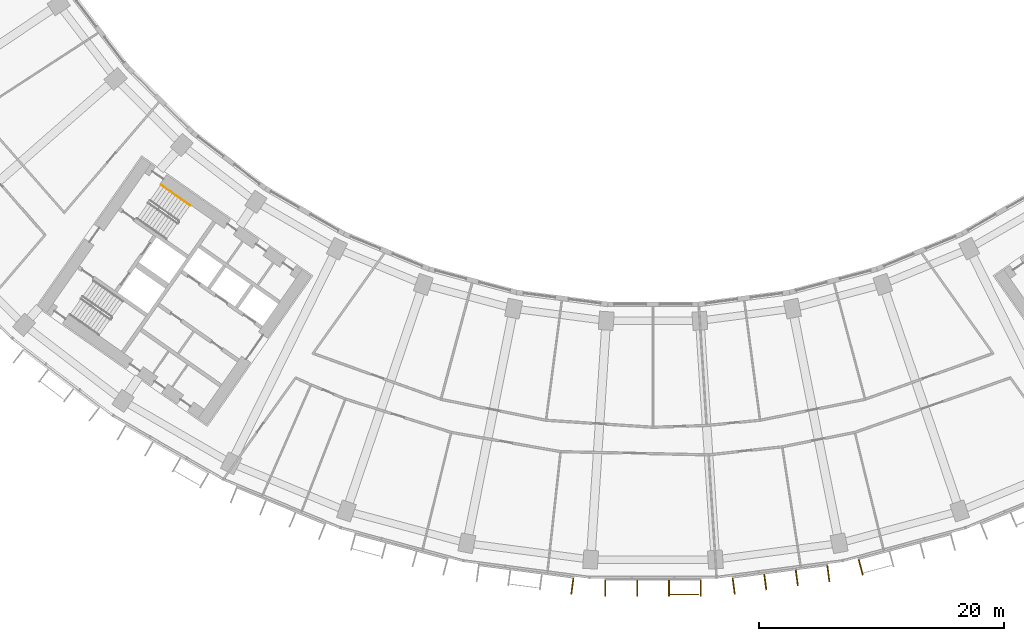
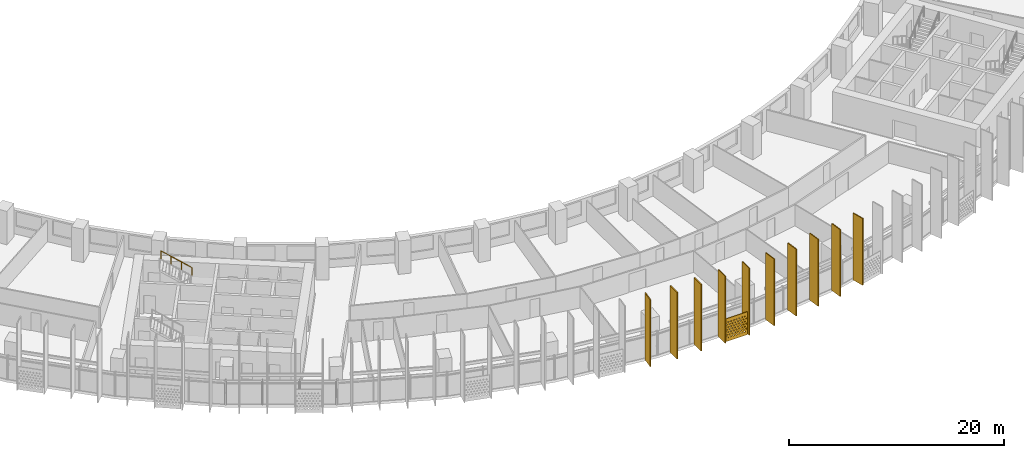
# One storey, part 27 of 30: 11 shading devices, 1 railing.
"""IFC4 building model written with IfcOpenShell, lengths in metres."""

from ifc_helpers import new_model, si_unit, direction, frame, origin, origin_2d, place, context, subcontext, project, spatial, polyline, rectangle, circle, outline, extrude, material, material_profile, profile_set, type_object, element, save


model = new_model("IFC4")

# Units and contexts
model_context = context("Model", 3, precision=1e-05, world=origin(), true_north=direction((0.0, 1.0)))
body_context = subcontext(model_context, "Body", "Model", "MODEL_VIEW")
ifc_project = project(units=[si_unit("LENGTHUNIT", "METRE"), si_unit("AREAUNIT", "SQUARE_METRE"), si_unit("VOLUMEUNIT", "CUBIC_METRE"), si_unit("PLANEANGLEUNIT", "RADIAN"), si_unit("MASSUNIT", "GRAM", prefix="KILO")], contexts=[model_context])

# Site, building, storey
site_placement = place(None, origin())
site = spatial("IfcSite", under=ifc_project, at=site_placement, CompositionType="ELEMENT")
building_placement = place(site_placement, origin())
building = spatial("IfcBuilding", under=site, at=building_placement, Name="Qamariyya Broadcast Tower", CompositionType="ELEMENT")
storey_placement = place(building_placement, frame((0.0, 0.0, 117.699951171875)))
storey = spatial("IfcBuildingStorey", under=building, at=storey_placement, Name="L26", CompositionType="ELEMENT", Elevation=117.699951171875)

# Shading device
ifc_material_1 = material(Name="Perforated glazed terracotta", Category="masonry")
ifc_material_profile_1 = material_profile(ifc_material_1, outline(polyline([(-1.199951171875, -1.300048828125), (1.199951171875, -1.300048828125), (1.199951171875, 1.300048828125), (-1.199951171875, 1.300048828125), (-1.199951171875, -1.300048828125)]), holes=[polyline([(-0.81494140625, -0.86669921875), (-0.89990234375, -0.78173828125), (-0.985107421875, -0.86669921875), (-0.89990234375, -0.95166015625), (-0.81494140625, -0.86669921875)]), polyline([(-0.514892578125, -0.86669921875), (-0.60009765625, -0.78173828125), (-0.68505859375, -0.86669921875), (-0.60009765625, -0.95166015625), (-0.514892578125, -0.86669921875)]), polyline([(-0.215087890625, -0.86669921875), (-0.300048828125, -0.78173828125), (-0.385009765625, -0.86669921875), (-0.300048828125, -0.95166015625), (-0.215087890625, -0.86669921875)]), polyline([(0.0849609375, -0.86669921875), (0.0, -0.78173828125), (-0.0849609375, -0.86669921875), (0.0, -0.95166015625), (0.0849609375, -0.86669921875)]), polyline([(0.385009765625, -0.86669921875), (0.300048828125, -0.78173828125), (0.215087890625, -0.86669921875), (0.300048828125, -0.95166015625), (0.385009765625, -0.86669921875)]), polyline([(0.68505859375, -0.86669921875), (0.60009765625, -0.78173828125), (0.514892578125, -0.86669921875), (0.60009765625, -0.95166015625), (0.68505859375, -0.86669921875)]), polyline([(0.985107421875, -0.86669921875), (0.89990234375, -0.78173828125), (0.81494140625, -0.86669921875), (0.89990234375, -0.95166015625), (0.985107421875, -0.86669921875)]), polyline([(-0.965087890625, -0.577880859375), (-1.050048828125, -0.49267578125), (-1.135009765625, -0.577880859375), (-1.050048828125, -0.662841796875), (-0.965087890625, -0.577880859375)]), polyline([(-0.6650390625, -0.577880859375), (-0.75, -0.49267578125), (-0.8349609375, -0.577880859375), (-0.75, -0.662841796875), (-0.6650390625, -0.577880859375)]), polyline([(-0.364990234375, -0.577880859375), (-0.449951171875, -0.49267578125), (-0.534912109375, -0.577880859375), (-0.449951171875, -0.662841796875), (-0.364990234375, -0.577880859375)]), polyline([(-0.06494140625, -0.577880859375), (-0.14990234375, -0.49267578125), (-0.235107421875, -0.577880859375), (-0.14990234375, -0.662841796875), (-0.06494140625, -0.577880859375)]), polyline([(0.235107421875, -0.577880859375), (0.14990234375, -0.49267578125), (0.06494140625, -0.577880859375), (0.14990234375, -0.662841796875), (0.235107421875, -0.577880859375)]), polyline([(0.534912109375, -0.577880859375), (0.449951171875, -0.49267578125), (0.364990234375, -0.577880859375), (0.449951171875, -0.662841796875), (0.534912109375, -0.577880859375)]), polyline([(0.8349609375, -0.577880859375), (0.75, -0.49267578125), (0.6650390625, -0.577880859375), (0.75, -0.662841796875), (0.8349609375, -0.577880859375)]), polyline([(1.135009765625, -0.577880859375), (1.050048828125, -0.49267578125), (0.965087890625, -0.577880859375), (1.050048828125, -0.662841796875), (1.135009765625, -0.577880859375)]), polyline([(-0.81494140625, -0.288818359375), (-0.89990234375, -0.203857421875), (-0.985107421875, -0.288818359375), (-0.89990234375, -0.373779296875), (-0.81494140625, -0.288818359375)]), polyline([(-0.514892578125, -0.288818359375), (-0.60009765625, -0.203857421875), (-0.68505859375, -0.288818359375), (-0.60009765625, -0.373779296875), (-0.514892578125, -0.288818359375)]), polyline([(-0.215087890625, -0.288818359375), (-0.300048828125, -0.203857421875), (-0.385009765625, -0.288818359375), (-0.300048828125, -0.373779296875), (-0.215087890625, -0.288818359375)]), polyline([(0.0849609375, -0.288818359375), (0.0, -0.203857421875), (-0.0849609375, -0.288818359375), (0.0, -0.373779296875), (0.0849609375, -0.288818359375)]), polyline([(0.385009765625, -0.288818359375), (0.300048828125, -0.203857421875), (0.215087890625, -0.288818359375), (0.300048828125, -0.373779296875), (0.385009765625, -0.288818359375)]), polyline([(0.68505859375, -0.288818359375), (0.60009765625, -0.203857421875), (0.514892578125, -0.288818359375), (0.60009765625, -0.373779296875), (0.68505859375, -0.288818359375)]), polyline([(0.985107421875, -0.288818359375), (0.89990234375, -0.203857421875), (0.81494140625, -0.288818359375), (0.89990234375, -0.373779296875), (0.985107421875, -0.288818359375)]), polyline([(-0.965087890625, 0.0), (-1.050048828125, 0.0849609375), (-1.135009765625, 0.0), (-1.050048828125, -0.0849609375), (-0.965087890625, 0.0)]), polyline([(-0.6650390625, 0.0), (-0.75, 0.0849609375), (-0.8349609375, 0.0), (-0.75, -0.0849609375), (-0.6650390625, 0.0)]), polyline([(-0.364990234375, 0.0), (-0.449951171875, 0.0849609375), (-0.534912109375, 0.0), (-0.449951171875, -0.0849609375), (-0.364990234375, 0.0)]), polyline([(-0.06494140625, 0.0), (-0.14990234375, 0.0849609375), (-0.235107421875, 0.0), (-0.14990234375, -0.0849609375), (-0.06494140625, 0.0)]), polyline([(0.235107421875, 0.0), (0.14990234375, 0.0849609375), (0.06494140625, 0.0), (0.14990234375, -0.0849609375), (0.235107421875, 0.0)]), polyline([(0.534912109375, 0.0), (0.449951171875, 0.0849609375), (0.364990234375, 0.0), (0.449951171875, -0.0849609375), (0.534912109375, 0.0)]), polyline([(0.8349609375, 0.0), (0.75, 0.0849609375), (0.6650390625, 0.0), (0.75, -0.0849609375), (0.8349609375, 0.0)]), polyline([(1.135009765625, 0.0), (1.050048828125, 0.0849609375), (0.965087890625, 0.0), (1.050048828125, -0.0849609375), (1.135009765625, 0.0)]), polyline([(-0.81494140625, 0.288818359375), (-0.89990234375, 0.373779296875), (-0.985107421875, 0.288818359375), (-0.89990234375, 0.203857421875), (-0.81494140625, 0.288818359375)]), polyline([(-0.514892578125, 0.288818359375), (-0.60009765625, 0.373779296875), (-0.68505859375, 0.288818359375), (-0.60009765625, 0.203857421875), (-0.514892578125, 0.288818359375)]), polyline([(-0.215087890625, 0.288818359375), (-0.300048828125, 0.373779296875), (-0.385009765625, 0.288818359375), (-0.300048828125, 0.203857421875), (-0.215087890625, 0.288818359375)]), polyline([(0.0849609375, 0.288818359375), (0.0, 0.373779296875), (-0.0849609375, 0.288818359375), (0.0, 0.203857421875), (0.0849609375, 0.288818359375)]), polyline([(0.385009765625, 0.288818359375), (0.300048828125, 0.373779296875), (0.215087890625, 0.288818359375), (0.300048828125, 0.203857421875), (0.385009765625, 0.288818359375)]), polyline([(0.68505859375, 0.288818359375), (0.60009765625, 0.373779296875), (0.514892578125, 0.288818359375), (0.60009765625, 0.203857421875), (0.68505859375, 0.288818359375)]), polyline([(0.985107421875, 0.288818359375), (0.89990234375, 0.373779296875), (0.81494140625, 0.288818359375), (0.89990234375, 0.203857421875), (0.985107421875, 0.288818359375)]), polyline([(-0.965087890625, 0.577880859375), (-1.050048828125, 0.662841796875), (-1.135009765625, 0.577880859375), (-1.050048828125, 0.49267578125), (-0.965087890625, 0.577880859375)]), polyline([(-0.6650390625, 0.577880859375), (-0.75, 0.662841796875), (-0.8349609375, 0.577880859375), (-0.75, 0.49267578125), (-0.6650390625, 0.577880859375)]), polyline([(-0.364990234375, 0.577880859375), (-0.449951171875, 0.662841796875), (-0.534912109375, 0.577880859375), (-0.449951171875, 0.49267578125), (-0.364990234375, 0.577880859375)]), polyline([(-0.06494140625, 0.577880859375), (-0.14990234375, 0.662841796875), (-0.235107421875, 0.577880859375), (-0.14990234375, 0.49267578125), (-0.06494140625, 0.577880859375)]), polyline([(0.235107421875, 0.577880859375), (0.14990234375, 0.662841796875), (0.06494140625, 0.577880859375), (0.14990234375, 0.49267578125), (0.235107421875, 0.577880859375)]), polyline([(0.534912109375, 0.577880859375), (0.449951171875, 0.662841796875), (0.364990234375, 0.577880859375), (0.449951171875, 0.49267578125), (0.534912109375, 0.577880859375)]), polyline([(0.8349609375, 0.577880859375), (0.75, 0.662841796875), (0.6650390625, 0.577880859375), (0.75, 0.49267578125), (0.8349609375, 0.577880859375)]), polyline([(1.135009765625, 0.577880859375), (1.050048828125, 0.662841796875), (0.965087890625, 0.577880859375), (1.050048828125, 0.49267578125), (1.135009765625, 0.577880859375)]), polyline([(-0.81494140625, 0.86669921875), (-0.89990234375, 0.95166015625), (-0.985107421875, 0.86669921875), (-0.89990234375, 0.78173828125), (-0.81494140625, 0.86669921875)]), polyline([(-0.514892578125, 0.86669921875), (-0.60009765625, 0.95166015625), (-0.68505859375, 0.86669921875), (-0.60009765625, 0.78173828125), (-0.514892578125, 0.86669921875)]), polyline([(-0.215087890625, 0.86669921875), (-0.300048828125, 0.95166015625), (-0.385009765625, 0.86669921875), (-0.300048828125, 0.78173828125), (-0.215087890625, 0.86669921875)]), polyline([(0.0849609375, 0.86669921875), (0.0, 0.95166015625), (-0.0849609375, 0.86669921875), (0.0, 0.78173828125), (0.0849609375, 0.86669921875)]), polyline([(0.385009765625, 0.86669921875), (0.300048828125, 0.95166015625), (0.215087890625, 0.86669921875), (0.300048828125, 0.78173828125), (0.385009765625, 0.86669921875)]), polyline([(0.68505859375, 0.86669921875), (0.60009765625, 0.95166015625), (0.514892578125, 0.86669921875), (0.60009765625, 0.78173828125), (0.68505859375, 0.86669921875)]), polyline([(0.985107421875, 0.86669921875), (0.89990234375, 0.95166015625), (0.81494140625, 0.86669921875), (0.89990234375, 0.78173828125), (0.985107421875, 0.86669921875)])]))
ifc_profile_set_1 = profile_set([ifc_material_profile_1], Name="Perforated glazed terracotta")
shading_device_type_1 = type_object("IfcShadingDeviceType", Name="Perforated terracotta screen 2400 x 2600", PredefinedType="USERDEFINED", material=ifc_profile_set_1)
shading_device_placement = place(storey_placement, frame((2.546630859375, -80.400146484375, 1.35009765625), z_axis=(0.0, -1.0, 0.0), x_axis=(1.0, 0.0, 0.0)))
element("IfcShadingDevice", 1, at=shading_device_placement, inside=storey, type_object=shading_device_type_1, Name="e-scr-L26-09-2", ObjectType="SCREEN", PredefinedType="USERDEFINED", context=body_context, shape_type="SweptSolid", body=[
    extrude(outline(polyline([(-1.199951171875, -1.300048828125), (1.199951171875, -1.300048828125), (1.199951171875, 1.300048828125), (-1.199951171875, 1.300048828125), (-1.199951171875, -1.300048828125)]), holes=[polyline([(-0.81494140625, -0.86669921875), (-0.89990234375, -0.78173828125), (-0.985107421875, -0.86669921875), (-0.89990234375, -0.95166015625), (-0.81494140625, -0.86669921875)]), polyline([(-0.514892578125, -0.86669921875), (-0.60009765625, -0.78173828125), (-0.68505859375, -0.86669921875), (-0.60009765625, -0.95166015625), (-0.514892578125, -0.86669921875)]), polyline([(-0.215087890625, -0.86669921875), (-0.300048828125, -0.78173828125), (-0.385009765625, -0.86669921875), (-0.300048828125, -0.95166015625), (-0.215087890625, -0.86669921875)]), polyline([(0.0849609375, -0.86669921875), (0.0, -0.78173828125), (-0.0849609375, -0.86669921875), (0.0, -0.95166015625), (0.0849609375, -0.86669921875)]), polyline([(0.385009765625, -0.86669921875), (0.300048828125, -0.78173828125), (0.215087890625, -0.86669921875), (0.300048828125, -0.95166015625), (0.385009765625, -0.86669921875)]), polyline([(0.68505859375, -0.86669921875), (0.60009765625, -0.78173828125), (0.514892578125, -0.86669921875), (0.60009765625, -0.95166015625), (0.68505859375, -0.86669921875)]), polyline([(0.985107421875, -0.86669921875), (0.89990234375, -0.78173828125), (0.81494140625, -0.86669921875), (0.89990234375, -0.95166015625), (0.985107421875, -0.86669921875)]), polyline([(-0.965087890625, -0.577880859375), (-1.050048828125, -0.49267578125), (-1.135009765625, -0.577880859375), (-1.050048828125, -0.662841796875), (-0.965087890625, -0.577880859375)]), polyline([(-0.6650390625, -0.577880859375), (-0.75, -0.49267578125), (-0.8349609375, -0.577880859375), (-0.75, -0.662841796875), (-0.6650390625, -0.577880859375)]), polyline([(-0.364990234375, -0.577880859375), (-0.449951171875, -0.49267578125), (-0.534912109375, -0.577880859375), (-0.449951171875, -0.662841796875), (-0.364990234375, -0.577880859375)]), polyline([(-0.06494140625, -0.577880859375), (-0.14990234375, -0.49267578125), (-0.235107421875, -0.577880859375), (-0.14990234375, -0.662841796875), (-0.06494140625, -0.577880859375)]), polyline([(0.235107421875, -0.577880859375), (0.14990234375, -0.49267578125), (0.06494140625, -0.577880859375), (0.14990234375, -0.662841796875), (0.235107421875, -0.577880859375)]), polyline([(0.534912109375, -0.577880859375), (0.449951171875, -0.49267578125), (0.364990234375, -0.577880859375), (0.449951171875, -0.662841796875), (0.534912109375, -0.577880859375)]), polyline([(0.8349609375, -0.577880859375), (0.75, -0.49267578125), (0.6650390625, -0.577880859375), (0.75, -0.662841796875), (0.8349609375, -0.577880859375)]), polyline([(1.135009765625, -0.577880859375), (1.050048828125, -0.49267578125), (0.965087890625, -0.577880859375), (1.050048828125, -0.662841796875), (1.135009765625, -0.577880859375)]), polyline([(-0.81494140625, -0.288818359375), (-0.89990234375, -0.203857421875), (-0.985107421875, -0.288818359375), (-0.89990234375, -0.373779296875), (-0.81494140625, -0.288818359375)]), polyline([(-0.514892578125, -0.288818359375), (-0.60009765625, -0.203857421875), (-0.68505859375, -0.288818359375), (-0.60009765625, -0.373779296875), (-0.514892578125, -0.288818359375)]), polyline([(-0.215087890625, -0.288818359375), (-0.300048828125, -0.203857421875), (-0.385009765625, -0.288818359375), (-0.300048828125, -0.373779296875), (-0.215087890625, -0.288818359375)]), polyline([(0.0849609375, -0.288818359375), (0.0, -0.203857421875), (-0.0849609375, -0.288818359375), (0.0, -0.373779296875), (0.0849609375, -0.288818359375)]), polyline([(0.385009765625, -0.288818359375), (0.300048828125, -0.203857421875), (0.215087890625, -0.288818359375), (0.300048828125, -0.373779296875), (0.385009765625, -0.288818359375)]), polyline([(0.68505859375, -0.288818359375), (0.60009765625, -0.203857421875), (0.514892578125, -0.288818359375), (0.60009765625, -0.373779296875), (0.68505859375, -0.288818359375)]), polyline([(0.985107421875, -0.288818359375), (0.89990234375, -0.203857421875), (0.81494140625, -0.288818359375), (0.89990234375, -0.373779296875), (0.985107421875, -0.288818359375)]), polyline([(-0.965087890625, 0.0), (-1.050048828125, 0.0849609375), (-1.135009765625, 0.0), (-1.050048828125, -0.0849609375), (-0.965087890625, 0.0)]), polyline([(-0.6650390625, 0.0), (-0.75, 0.0849609375), (-0.8349609375, 0.0), (-0.75, -0.0849609375), (-0.6650390625, 0.0)]), polyline([(-0.364990234375, 0.0), (-0.449951171875, 0.0849609375), (-0.534912109375, 0.0), (-0.449951171875, -0.0849609375), (-0.364990234375, 0.0)]), polyline([(-0.06494140625, 0.0), (-0.14990234375, 0.0849609375), (-0.235107421875, 0.0), (-0.14990234375, -0.0849609375), (-0.06494140625, 0.0)]), polyline([(0.235107421875, 0.0), (0.14990234375, 0.0849609375), (0.06494140625, 0.0), (0.14990234375, -0.0849609375), (0.235107421875, 0.0)]), polyline([(0.534912109375, 0.0), (0.449951171875, 0.0849609375), (0.364990234375, 0.0), (0.449951171875, -0.0849609375), (0.534912109375, 0.0)]), polyline([(0.8349609375, 0.0), (0.75, 0.0849609375), (0.6650390625, 0.0), (0.75, -0.0849609375), (0.8349609375, 0.0)]), polyline([(1.135009765625, 0.0), (1.050048828125, 0.0849609375), (0.965087890625, 0.0), (1.050048828125, -0.0849609375), (1.135009765625, 0.0)]), polyline([(-0.81494140625, 0.288818359375), (-0.89990234375, 0.373779296875), (-0.985107421875, 0.288818359375), (-0.89990234375, 0.203857421875), (-0.81494140625, 0.288818359375)]), polyline([(-0.514892578125, 0.288818359375), (-0.60009765625, 0.373779296875), (-0.68505859375, 0.288818359375), (-0.60009765625, 0.203857421875), (-0.514892578125, 0.288818359375)]), polyline([(-0.215087890625, 0.288818359375), (-0.300048828125, 0.373779296875), (-0.385009765625, 0.288818359375), (-0.300048828125, 0.203857421875), (-0.215087890625, 0.288818359375)]), polyline([(0.0849609375, 0.288818359375), (0.0, 0.373779296875), (-0.0849609375, 0.288818359375), (0.0, 0.203857421875), (0.0849609375, 0.288818359375)]), polyline([(0.385009765625, 0.288818359375), (0.300048828125, 0.373779296875), (0.215087890625, 0.288818359375), (0.300048828125, 0.203857421875), (0.385009765625, 0.288818359375)]), polyline([(0.68505859375, 0.288818359375), (0.60009765625, 0.373779296875), (0.514892578125, 0.288818359375), (0.60009765625, 0.203857421875), (0.68505859375, 0.288818359375)]), polyline([(0.985107421875, 0.288818359375), (0.89990234375, 0.373779296875), (0.81494140625, 0.288818359375), (0.89990234375, 0.203857421875), (0.985107421875, 0.288818359375)]), polyline([(-0.965087890625, 0.577880859375), (-1.050048828125, 0.662841796875), (-1.135009765625, 0.577880859375), (-1.050048828125, 0.49267578125), (-0.965087890625, 0.577880859375)]), polyline([(-0.6650390625, 0.577880859375), (-0.75, 0.662841796875), (-0.8349609375, 0.577880859375), (-0.75, 0.49267578125), (-0.6650390625, 0.577880859375)]), polyline([(-0.364990234375, 0.577880859375), (-0.449951171875, 0.662841796875), (-0.534912109375, 0.577880859375), (-0.449951171875, 0.49267578125), (-0.364990234375, 0.577880859375)]), polyline([(-0.06494140625, 0.577880859375), (-0.14990234375, 0.662841796875), (-0.235107421875, 0.577880859375), (-0.14990234375, 0.49267578125), (-0.06494140625, 0.577880859375)]), polyline([(0.235107421875, 0.577880859375), (0.14990234375, 0.662841796875), (0.06494140625, 0.577880859375), (0.14990234375, 0.49267578125), (0.235107421875, 0.577880859375)]), polyline([(0.534912109375, 0.577880859375), (0.449951171875, 0.662841796875), (0.364990234375, 0.577880859375), (0.449951171875, 0.49267578125), (0.534912109375, 0.577880859375)]), polyline([(0.8349609375, 0.577880859375), (0.75, 0.662841796875), (0.6650390625, 0.577880859375), (0.75, 0.49267578125), (0.8349609375, 0.577880859375)]), polyline([(1.135009765625, 0.577880859375), (1.050048828125, 0.662841796875), (0.965087890625, 0.577880859375), (1.050048828125, 0.49267578125), (1.135009765625, 0.577880859375)]), polyline([(-0.81494140625, 0.86669921875), (-0.89990234375, 0.95166015625), (-0.985107421875, 0.86669921875), (-0.89990234375, 0.78173828125), (-0.81494140625, 0.86669921875)]), polyline([(-0.514892578125, 0.86669921875), (-0.60009765625, 0.95166015625), (-0.68505859375, 0.86669921875), (-0.60009765625, 0.78173828125), (-0.514892578125, 0.86669921875)]), polyline([(-0.215087890625, 0.86669921875), (-0.300048828125, 0.95166015625), (-0.385009765625, 0.86669921875), (-0.300048828125, 0.78173828125), (-0.215087890625, 0.86669921875)]), polyline([(0.0849609375, 0.86669921875), (0.0, 0.95166015625), (-0.0849609375, 0.86669921875), (0.0, 0.78173828125), (0.0849609375, 0.86669921875)]), polyline([(0.385009765625, 0.86669921875), (0.300048828125, 0.95166015625), (0.215087890625, 0.86669921875), (0.300048828125, 0.78173828125), (0.385009765625, 0.86669921875)]), polyline([(0.68505859375, 0.86669921875), (0.60009765625, 0.95166015625), (0.514892578125, 0.86669921875), (0.60009765625, 0.78173828125), (0.68505859375, 0.86669921875)]), polyline([(0.985107421875, 0.86669921875), (0.89990234375, 0.95166015625), (0.81494140625, 0.86669921875), (0.89990234375, 0.78173828125), (0.985107421875, 0.86669921875)])]), origin(), (0.0, 0.0, 1.0), 0.06005859375),
])

# Railing
ifc_material_2 = material(Name="Stainless steel", Category="steel")
railing_type = type_object("IfcRailingType", Name="Stair handrail", PredefinedType="HANDRAIL", material=ifc_material_2)
railing_placement = place(storey_placement, frame((-37.73876953125, -48.7138671875, 2.07275390625)))
element("IfcRailing", 2, at=railing_placement, inside=storey, type_object=railing_type, Name="L26 ST-W2 stair handrail 2", PredefinedType="HANDRAIL", context=body_context, shape_type="SweptSolid", body=[
    extrude(circle(Radius=0.02392578125, at=origin_2d()), frame((0.0, 0.0, 0.8759765625), z_axis=(-0.703745009021, 0.492838488332, 0.511715923826), x_axis=(-0.573631830683, -0.819113253969, 0.0)), (0.0, 0.0, 1.0), 3.37548828125),
    extrude(circle(Radius=0.02099609375, at=origin_2d()), origin(), (0.0, 0.0, 1.0), 0.851806640625),
    extrude(circle(Radius=0.02099609375, at=origin_2d()), frame((-0.791748046875, 0.554443359375, 0.57568359375)), (0.0, 0.0, 1.0), 0.851806640625),
    extrude(circle(Radius=0.02099609375, at=origin_2d()), frame((-1.583740234375, 1.109130859375, 1.151611328125)), (0.0, 0.0, 1.0), 0.851806640625),
    extrude(circle(Radius=0.02099609375, at=origin_2d()), frame((-2.37548828125, 1.66357421875, 1.727294921875)), (0.0, 0.0, 1.0), 0.851806640625),
])

# Shading devices
ifc_material_3 = material(Name="Glazed terracotta", Category="masonry")
ifc_material_profile_2 = material_profile(ifc_material_3, rectangle(XDim=1.300048828125, YDim=0.10009765625, at=origin_2d()))
ifc_profile_set_2 = profile_set([ifc_material_profile_2], Name="Glazed terracotta")
shading_device_type_2 = type_object("IfcShadingDeviceType", Name="Terracotta fin 100 x 1300", PredefinedType="USERDEFINED", material=ifc_profile_set_2)
for number, where, z_axis, x_axis, name in (
    (3, (-6.576416015625, -79.754150390625, 0.0), (0.0, 0.0, 1.0), (-0.13052619222, -0.991444861374, 0.0), "e-fin-L26-08-3"),
    (4, (-3.889892578125, -79.93017578125, 0.0), (0.0, 0.0, 1.0), (0.0, -1.0, 0.0), "e-fin-L26-09-0"),
    (5, (-1.296630859375, -79.93017578125, 0.0), (0.0, 0.0, 1.0), (0.0, -1.0, 0.0), "e-fin-L26-09-1"),
    (6, (1.296630859375, -79.93017578125, 0.0), (0.0, 0.0, 1.0), (0.0, -1.0, 0.0), "e-fin-L26-09-2"),
    (7, (3.889892578125, -79.93017578125, 0.0), (0.0, 0.0, 1.0), (0.0, -1.0, 0.0), "e-fin-L26-09-3"),
    (8, (6.576416015625, -79.754150390625, 0.0), (0.0, 0.0, 1.0), (0.13052619222, -0.991444861374, 0.0), "e-fin-L26-10-0"),
    (9, (9.1474609375, -79.41552734375, 0.0), (0.0, 0.0, 1.0), (0.13052619222, -0.991444861374, 0.0), "e-fin-L26-10-1"),
    (10, (11.718505859375, -79.0771484375, 0.0), (0.0, 0.0, 1.0), (0.13052619222, -0.991444861374, 0.0), "e-fin-L26-10-2"),
    (11, (14.28955078125, -78.73876953125, 0.0), (0.0, 0.0, 1.0), (0.13052619222, -0.991444861374, 0.0), "e-fin-L26-10-3"),
    (12, (16.93017578125, -78.21337890625, 0.0), (0.0, 0.0, 1.0), (0.258819045103, -0.965925826289, 0.0), "e-fin-L26-11-0"),
):
    element("IfcShadingDevice", number, at=place(storey_placement, frame(where, z_axis=z_axis, x_axis=x_axis)), inside=storey, type_object=shading_device_type_2, Name=name, ObjectType="FIN", PredefinedType="USERDEFINED", context=body_context, shape_type="SweptSolid", body=[
        extrude(rectangle(XDim=1.300048828125, YDim=0.10009765625, at=origin_2d()), origin(), (0.0, 0.0, 1.0), 7.60009765625),
    ])

save(model, "model.ifc")
